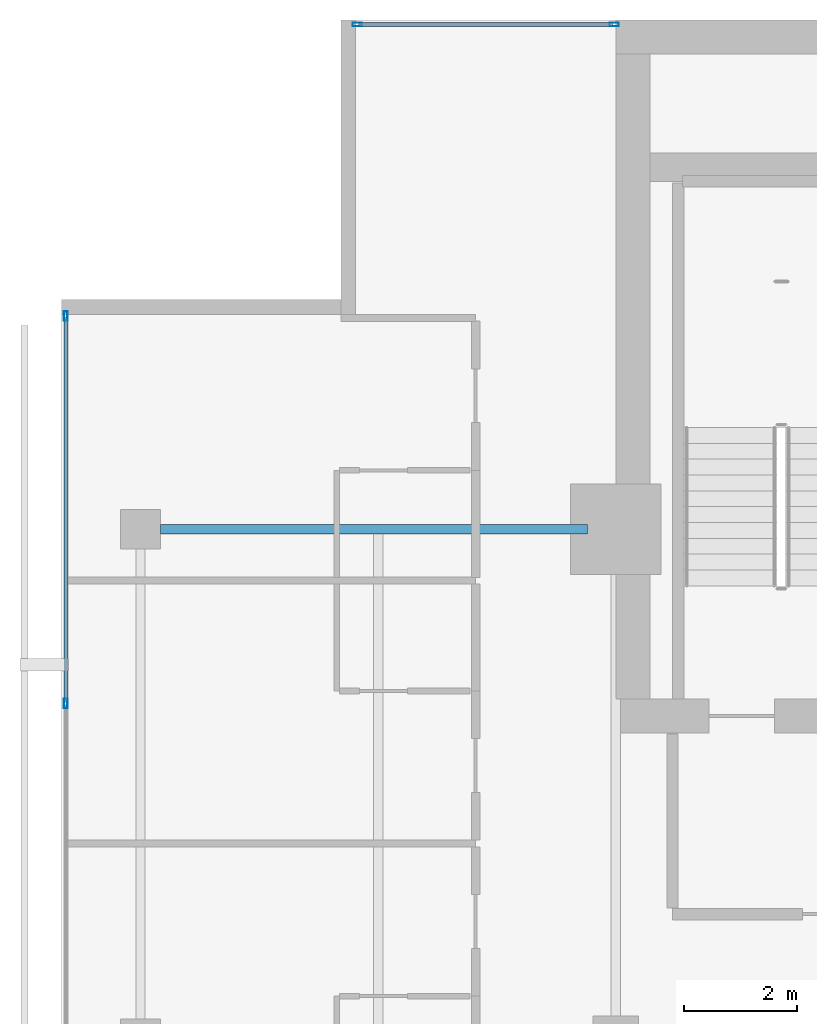
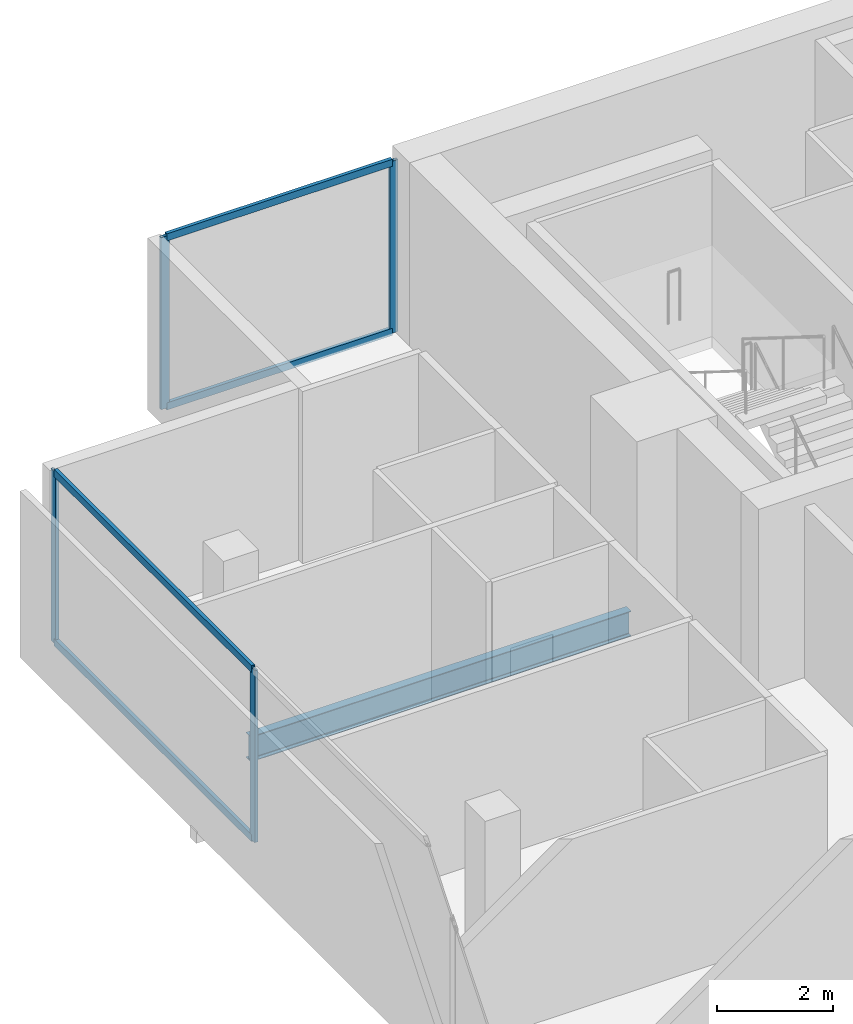
# One storey, part 16 of 26: 8 members, 1 beam, 2 elements without a shape of their own.
"""IFC4 building model written with IfcOpenShell, lengths in metres."""

import ifcopenshell
import ifcopenshell.guid

model = None  # the IFC model being written
_history = None  # IfcOwnerHistory: only IFC2X3 demands one
_inside = {}  # id of a spatial element -> (the spatial element, [elements in it])
_under = {}  # id of a project, library or spatial element -> (it, [spatial elements below it])
_declared = {}  # id of a project -> (the project, [libraries it declares])
_typed = {}  # id of a type object -> (the type object, [elements of that type])
_made_of = {}  # id of a material, layer set ... -> (it, [elements and type objects made of it])


def new_model(schema):
    """Start an empty IFC model of exactly this schema.

    Asked for "IFC4X3", IfcOpenShell would pick the latest addendum, in which some entities
    have other attributes; the version numbers below select the first issue.
    IFC2X3 requires an IfcOwnerHistory on every rooted entity: one is made here for all.
    """
    global model, _history
    if schema == "IFC4X3":
        model = ifcopenshell.file(schema_version=(4, 3, 0, 0))
    else:
        model = ifcopenshell.file(schema=schema)
    _inside.clear()
    _under.clear()
    _declared.clear()
    _typed.clear()
    _made_of.clear()
    _history = None
    if model.schema == "IFC2X3":
        org = make("IfcOrganization", Name="unknown")
        user = make(
            "IfcPersonAndOrganization",
            ThePerson=make("IfcPerson", FamilyName="unknown"),
            TheOrganization=org,
        )
        app = make(
            "IfcApplication",
            ApplicationDeveloper=org,
            Version="unknown",
            ApplicationFullName="unknown",
            ApplicationIdentifier="unknown",
        )
        _history = make(
            "IfcOwnerHistory",
            OwningUser=user,
            OwningApplication=app,
            ChangeAction="ADDED",
            CreationDate=0,
        )
    return model


def make(cls, **values):
    """One entity of the class cls with the attributes given. An attribute that is None is left unset."""
    return model.create_entity(
        cls, **{name: value for name, value in values.items() if value is not None}
    )


def rooted(cls, **values):
    """An entity with a GlobalId (a new one), such as an element, a storey or a relation."""
    return make(cls, GlobalId=ifcopenshell.guid.new(), OwnerHistory=_history, **values)


def si_unit(unit_type, name, prefix=None):
    """IfcSIUnit, for example si_unit("LENGTHUNIT", "METRE", prefix="MILLI")."""
    return make("IfcSIUnit", UnitType=unit_type, Prefix=prefix, Name=name)


def assignment(units):
    """IfcUnitAssignment: the units of a project."""
    return None if units is None else make("IfcUnitAssignment", Units=units)


def point(xyz):
    """IfcCartesianPoint."""
    return None if xyz is None else make("IfcCartesianPoint", Coordinates=xyz)


def direction(xyz):
    """IfcDirection."""
    return None if xyz is None else make("IfcDirection", DirectionRatios=xyz)


def frame(location, z_axis=None, x_axis=None):
    """IfcAxis2Placement3D, a coordinate frame: its origin and axes. An axis left out is left unset."""
    return make(
        "IfcAxis2Placement3D",
        Location=point(location),
        Axis=direction(z_axis),
        RefDirection=direction(x_axis),
    )


def frame_2d(location, x_axis=None):
    """IfcAxis2Placement2D, a coordinate frame in the plane: its origin and x axis."""
    return make(
        "IfcAxis2Placement2D", Location=point(location), RefDirection=direction(x_axis)
    )


def origin():
    """The frame at (0, 0, 0) with its axes left unset."""
    return frame((0.0, 0.0, 0.0))


def origin_2d():
    """The frame at (0, 0) in the plane with its x axis left unset."""
    return frame_2d((0.0, 0.0))


def place(relative_to, where):
    """IfcLocalPlacement: puts the frame where relative to a parent placement (None: the world)."""
    return make(
        "IfcLocalPlacement", PlacementRelTo=relative_to, RelativePlacement=where
    )


def context(
    kind, dimensions, precision=None, world=None, true_north=None, identifier=None
):
    """IfcGeometricRepresentationContext, for example the 3D "Model" context."""
    return make(
        "IfcGeometricRepresentationContext",
        ContextIdentifier=identifier,
        ContextType=kind,
        CoordinateSpaceDimension=dimensions,
        Precision=precision,
        WorldCoordinateSystem=world,
        TrueNorth=true_north,
    )


def subcontext(parent, identifier, kind, view, scale=None):
    """IfcGeometricRepresentationSubContext, for example "Body" below "Model"."""
    return make(
        "IfcGeometricRepresentationSubContext",
        ContextIdentifier=identifier,
        ContextType=kind,
        ParentContext=parent,
        TargetScale=scale,
        TargetView=view,
    )


def project(units=None, contexts=None):
    """IfcProject with its units and contexts."""
    return rooted(
        "IfcProject",
        Name="project",
        RepresentationContexts=contexts,
        UnitsInContext=assignment(units),
    )


def spatial(cls, under=None, at=None, **own):
    """A site, building, storey or space (cls), placed at a placement, below another one or the project."""
    s = rooted(cls, ObjectPlacement=at, **own)
    if under is not None:
        _under.setdefault(under.id(), (under, []))[1].append(s)
    return s


def profile(cls, at=None, kind="AREA", **sizes):
    """A parametric profile (cls). Its sizes go by their IFC names, for example OverallWidth=200.0."""
    return make(cls, ProfileType=kind, Position=at, **sizes)


def hollow_rectangle(**sizes):
    """IfcRectangleHollowProfileDef."""
    return profile("IfcRectangleHollowProfileDef", **sizes)


def i_section(**sizes):
    """IfcIShapeProfileDef."""
    return profile("IfcIShapeProfileDef", **sizes)


def extrude(swept, where, along, depth):
    """IfcExtrudedAreaSolid: the profile swept, set in the frame where, extruded along a direction by depth."""
    return make(
        "IfcExtrudedAreaSolid",
        SweptArea=swept,
        Position=where,
        ExtrudedDirection=direction(along),
        Depth=depth,
    )


def shape(context_of_items, identifier, shape_type, items):
    """IfcShapeRepresentation: the items that make up one representation, for example the "Body"."""
    return make(
        "IfcShapeRepresentation",
        ContextOfItems=context_of_items,
        RepresentationIdentifier=identifier,
        RepresentationType=shape_type,
        Items=items,
    )


def material(Name=None, Category=None):
    """IfcMaterial."""
    return make("IfcMaterial", Name=Name, Category=Category)


def layer(
    of_material, thickness, ventilated=None, Name=None, Category=None, Priority=None
):
    """IfcMaterialLayer: one layer of a wall or slab, of a material (None: an air gap)."""
    return make(
        "IfcMaterialLayer",
        Material=of_material,
        LayerThickness=thickness,
        IsVentilated=ventilated,
        Name=Name,
        Category=Category,
        Priority=Priority,
    )


def layer_set(layers, Name=None):
    """IfcMaterialLayerSet."""
    return make("IfcMaterialLayerSet", MaterialLayers=layers, LayerSetName=Name)


def material_profile(
    of_material, cross_section, Name=None, Category=None, Priority=None
):
    """IfcMaterialProfile: a cross section and its material."""
    return make(
        "IfcMaterialProfile",
        Name=Name,
        Material=of_material,
        Profile=cross_section,
        Priority=Priority,
        Category=Category,
    )


def profile_set(profiles, Name=None, composite=None):
    """IfcMaterialProfileSet."""
    return make(
        "IfcMaterialProfileSet",
        Name=Name,
        MaterialProfiles=profiles,
        CompositeProfile=composite,
    )


def made_of(thing, what):
    """Note that an element or type object is made of a material, layer set ...; save() writes the relation."""
    if what is not None:
        _made_of.setdefault(what.id(), (what, []))[1].append(thing)
    return thing


def type_object(cls, material=None, **own):
    """A type object (cls), such as IfcWallType, which elements share."""
    return made_of(rooted(cls, **own), material)


def element(
    cls,
    number,
    at=None,
    inside=None,
    cuts=None,
    type_object=None,
    material=None,
    context=None,
    identifier="Body",
    shape_type=None,
    held_by="IfcProductDefinitionShape",
    body=None,
    shapes=None,
    **own,
):
    """One element of the class cls, such as IfcWall. Its Tag is "e" and its number.

    at: its placement. inside: the storey or other place that contains it. cuts: it is an
    opening in that element (IfcRelVoidsElement). A single representation is given by context,
    identifier, shape_type and body (its items); several are given by shapes. held_by: the class
    of the entity that holds the representations. save() writes the other relations.
    """
    e = rooted(cls, Tag="e%d" % number, ObjectPlacement=at, **own)
    if body is not None:
        shapes = [shape(context, identifier, shape_type, body)]
    if shapes is not None:
        e.Representation = make(held_by, Representations=shapes)
    if inside is not None:
        _inside.setdefault(inside.id(), (inside, []))[1].append(e)
    if cuts is not None:
        rooted(
            "IfcRelVoidsElement", RelatingBuildingElement=cuts, RelatedOpeningElement=e
        )
    if type_object is not None:
        _typed.setdefault(type_object.id(), (type_object, []))[1].append(e)
    return made_of(e, material)


def aggregate(whole, parts):
    """IfcRelAggregates: a whole, such as a stair, and the parts it consists of."""
    return rooted("IfcRelAggregates", RelatingObject=whole, RelatedObjects=parts)


def save(model, path):
    """Write the relations noted so far, then the file.

    IfcRelAggregates (storeys below a building ...), IfcRelContainedInSpatialStructure (elements
    in a storey), IfcRelDefinesByType, IfcRelAssociatesMaterial and IfcRelDeclares: one each for
    every whole, place, type object, material and project.
    """
    for whole, parts in _under.values():
        aggregate(whole, parts)
    for where, things in _inside.values():
        rooted(
            "IfcRelContainedInSpatialStructure",
            RelatedElements=things,
            RelatingStructure=where,
        )
    for kind, things in _typed.values():
        rooted("IfcRelDefinesByType", RelatedObjects=things, RelatingType=kind)
    for what, things in _made_of.values():
        rooted("IfcRelAssociatesMaterial", RelatedObjects=things, RelatingMaterial=what)
    for by, libraries in _declared.values():
        rooted("IfcRelDeclares", RelatingContext=by, RelatedDefinitions=libraries)
    model.write(path)


model = new_model("IFC4")

# Units and contexts
model_context = context("Model", 3, precision=1e-05, world=origin(), true_north=direction((0.0, 1.0)))
body_context = subcontext(model_context, "Body", "Model", "MODEL_VIEW")
ifc_project = project(units=[si_unit("LENGTHUNIT", "METRE"), si_unit("AREAUNIT", "SQUARE_METRE"), si_unit("VOLUMEUNIT", "CUBIC_METRE"), si_unit("PLANEANGLEUNIT", "RADIAN"), si_unit("MASSUNIT", "GRAM", prefix="KILO")], contexts=[model_context])

# Site, building, storey
site_placement = place(None, origin())
site = spatial("IfcSite", under=ifc_project, at=site_placement, CompositionType="ELEMENT")
building_placement = place(site_placement, origin())
building = spatial("IfcBuilding", under=site, at=building_placement, Name="Maruvema Waterfront Hotel and Observation Tower", CompositionType="ELEMENT")
storey_placement = place(building_placement, frame((0.0, 0.0, 293.300048828125)))
storey = spatial("IfcBuildingStorey", under=building, at=storey_placement, Name="L72", CompositionType="ELEMENT", Elevation=293.300048828125)

# Curtain wall, members
ifc_material_1 = material(Name="Anodised bronze aluminium and solar-control low-E IGU", Category="aluminium")
ifc_layer = layer(ifc_material_1, 0.159912109375, Name="Zone 3 Champagne Inner Thermal Curtain Wall System CW-04")
ifc_layer_set = layer_set([ifc_layer], Name="Anodised bronze aluminium and solar-control low-E IGU")
curtain_wall_type = type_object("IfcCurtainWallType", Name="Zone 3 Champagne Inner Thermal Curtain Wall System CW-04", PredefinedType="USERDEFINED", material=ifc_layer_set)
curtain_wall_1_placement = place(storey_placement, origin())
curtain_wall_1 = element("IfcCurtainWall", 1, at=curtain_wall_1_placement, inside=storey, type_object=curtain_wall_type, Name="L72 Curtain Wall CW-L72-W", ObjectType="UNITISED CURTAIN WALL", PredefinedType="USERDEFINED")
ifc_material_2 = material(Name="Anodised architectural bronze aluminium", Category="aluminium")
ifc_material_profile_1 = material_profile(ifc_material_2, hollow_rectangle(XDim=0.070068359375, YDim=0.14990234375, WallThickness=0.00390625, at=origin_2d()), Name="ALU-T70x150")
ifc_profile_set_1 = profile_set([ifc_material_profile_1], Name="Anodised architectural bronze aluminium")
member_type_1 = type_object("IfcMemberType", Name="Curtain Wall Horizontal Transom ALU-T70x150", PredefinedType="USERDEFINED", material=ifc_profile_set_1)
member_1_placement = place(storey_placement, frame((15.47998046875, 48.739990234375, 0.030029296875), z_axis=(0.0, -1.0, 0.0), x_axis=(1.0, 0.0, 0.0)))
member_1 = element("IfcMember", 2, at=member_1_placement, type_object=member_type_1, Name="CW-04 transom 1.1", ObjectType="TRANSOM", PredefinedType="USERDEFINED", context=body_context, shape_type="SweptSolid", body=[
    extrude(hollow_rectangle(XDim=0.070068359375, YDim=0.14990234375, WallThickness=0.00390625, at=origin_2d()), origin(), (0.0, 0.0, 1.0), 6.7900390625),
])
member_2_placement = place(storey_placement, frame((15.47998046875, 48.739990234375, 3.579833984375), z_axis=(0.0, -1.0, 0.0), x_axis=(1.0, 0.0, 0.0)))
member_2 = element("IfcMember", 3, at=member_2_placement, type_object=member_type_1, Name="CW-04 transom 1.2", ObjectType="TRANSOM", PredefinedType="USERDEFINED", context=body_context, shape_type="SweptSolid", body=[
    extrude(hollow_rectangle(XDim=0.070068359375, YDim=0.14990234375, WallThickness=0.00390625, at=origin_2d()), origin(), (0.0, 0.0, 1.0), 6.7900390625),
])

curtain_wall_2_placement = place(storey_placement, origin())
curtain_wall_2 = element("IfcCurtainWall", 4, at=curtain_wall_2_placement, inside=storey, type_object=curtain_wall_type, Name="L72 Curtain Wall CW-L72-NW", ObjectType="UNITISED CURTAIN WALL", PredefinedType="USERDEFINED")
member_3_placement = place(storey_placement, frame((25.139892578125, 53.919921875, 0.030029296875), z_axis=(-1.0, 0.0, 0.0), x_axis=(0.0, -1.0, 0.0)))
member_3 = element("IfcMember", 5, at=member_3_placement, type_object=member_type_1, Name="CW-04 transom 1.1", ObjectType="TRANSOM", PredefinedType="USERDEFINED", context=body_context, shape_type="SweptSolid", body=[
    extrude(hollow_rectangle(XDim=0.070068359375, YDim=0.14990234375, WallThickness=0.00390625, at=origin_2d()), origin(), (0.0, 0.0, 1.0), 4.47998046875),
])
member_4_placement = place(storey_placement, frame((25.139892578125, 53.919921875, 3.579833984375), z_axis=(-1.0, 0.0, 0.0), x_axis=(0.0, -1.0, 0.0)))
member_4 = element("IfcMember", 6, at=member_4_placement, type_object=member_type_1, Name="CW-04 transom 1.2", ObjectType="TRANSOM", PredefinedType="USERDEFINED", context=body_context, shape_type="SweptSolid", body=[
    extrude(hollow_rectangle(XDim=0.070068359375, YDim=0.14990234375, WallThickness=0.00390625, at=origin_2d()), origin(), (0.0, 0.0, 1.0), 4.47998046875),
])

# Member
ifc_material_3 = material(Name="Anodised architectural bronze aluminium", Category="aluminium")
ifc_material_profile_2 = material_profile(ifc_material_3, hollow_rectangle(XDim=0.06494140625, YDim=0.1650390625, WallThickness=0.00390625, at=origin_2d()), Name="ALU-M65x165")
ifc_profile_set_2 = profile_set([ifc_material_profile_2], Name="Anodised architectural bronze aluminium")
member_type_2 = type_object("IfcMemberType", Name="Curtain Wall Primary Mullion ALU-M65x165", PredefinedType="MULLION", material=ifc_profile_set_2)
member_5_placement = place(storey_placement, frame((15.47998046875, 48.77001953125, 0.0), z_axis=(0.0, 0.0, 1.0), x_axis=(1.0, 0.0, 0.0)))
member_5 = element("IfcMember", 7, at=member_5_placement, type_object=member_type_2, Name="CW-04 mullion 1", PredefinedType="MULLION", context=body_context, shape_type="SweptSolid", body=[
    extrude(hollow_rectangle(XDim=0.06494140625, YDim=0.1650390625, WallThickness=0.00390625, at=origin_2d()), origin(), (0.0, 0.0, 1.0), 3.60986328125),
])

member_6_placement = place(storey_placement, frame((15.47998046875, 41.919921875, 0.0), z_axis=(0.0, 0.0, 1.0), x_axis=(1.0, 0.0, 0.0)))
member_6 = element("IfcMember", 8, at=member_6_placement, type_object=member_type_2, Name="CW-04 mullion 2", PredefinedType="MULLION", context=body_context, shape_type="SweptSolid", body=[
    extrude(hollow_rectangle(XDim=0.06494140625, YDim=0.1650390625, WallThickness=0.00390625, at=origin_2d()), origin(), (0.0, 0.0, 1.0), 3.60986328125),
])

aggregate(curtain_wall_1, [member_5, member_6, member_1, member_2])

member_7_placement = place(storey_placement, frame((25.169921875, 53.919921875, 0.0), z_axis=(0.0, 0.0, 1.0), x_axis=(0.0, -1.0, 0.0)))
member_7 = element("IfcMember", 9, at=member_7_placement, type_object=member_type_2, Name="CW-04 mullion 1", PredefinedType="MULLION", context=body_context, shape_type="SweptSolid", body=[
    extrude(hollow_rectangle(XDim=0.06494140625, YDim=0.1650390625, WallThickness=0.00390625, at=origin_2d()), origin(), (0.0, 0.0, 1.0), 3.60986328125),
])

member_8_placement = place(storey_placement, frame((20.6298828125, 53.919921875, 0.0), z_axis=(0.0, 0.0, 1.0), x_axis=(0.0, -1.0, 0.0)))
member_8 = element("IfcMember", 10, at=member_8_placement, type_object=member_type_2, Name="CW-04 mullion 2", PredefinedType="MULLION", context=body_context, shape_type="SweptSolid", body=[
    extrude(hollow_rectangle(XDim=0.06494140625, YDim=0.1650390625, WallThickness=0.00390625, at=origin_2d()), origin(), (0.0, 0.0, 1.0), 3.60986328125),
])

aggregate(curtain_wall_2, [member_7, member_8, member_3, member_4])

# Beam
ifc_material_4 = material(Name="Steel ASTM A572 Grade 50", Category="steel")
ifc_material_profile_3 = material_profile(ifc_material_4, i_section(OverallWidth=0.166015625, OverallDepth=0.529052734375, WebThickness=0.009765625, FlangeThickness=0.013671875, FilletRadius=0.014892578125, at=origin_2d()), Name="W530x74.0")
ifc_profile_set_3 = profile_set([ifc_material_profile_3], Name="Steel ASTM A572 Grade 50")
beam_type = type_object("IfcBeamType", Name="Primary Floor Girder W530x74.0", PredefinedType="BEAM", material=ifc_profile_set_3)
beam_placement = place(storey_placement, frame((17.14990234375, 45.0, -0.504638671875), z_axis=(1.0, 0.0, 0.0), x_axis=(0.0, 1.0, 0.0)))
element("IfcBeam", 11, at=beam_placement, inside=storey, type_object=beam_type, Name="L72 Floor Girder EW-17", PredefinedType="BEAM", context=body_context, shape_type="SweptSolid", body=[
    extrude(i_section(OverallWidth=0.166015625, OverallDepth=0.529052734375, WebThickness=0.009765625, FlangeThickness=0.013671875, FilletRadius=0.014892578125, at=origin_2d()), origin(), (0.0, 0.0, 1.0), 7.550048828125),
])

save(model, "model.ifc")
